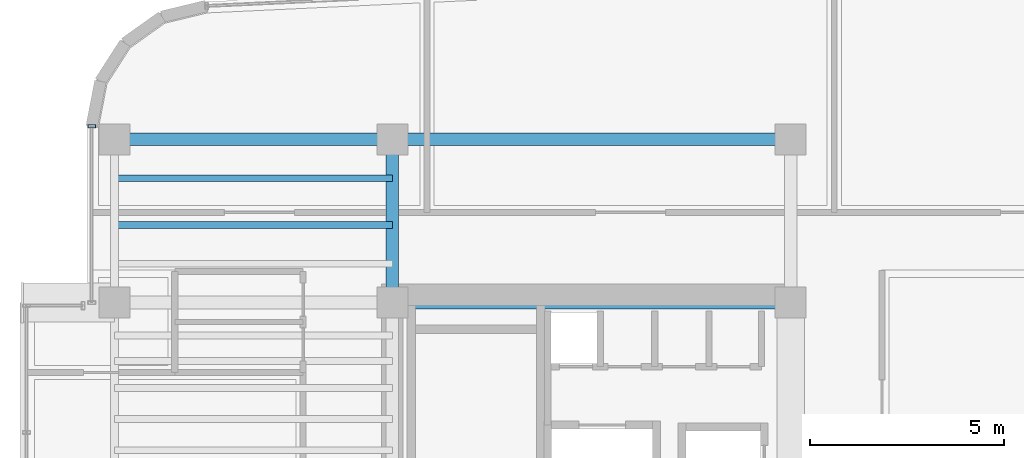
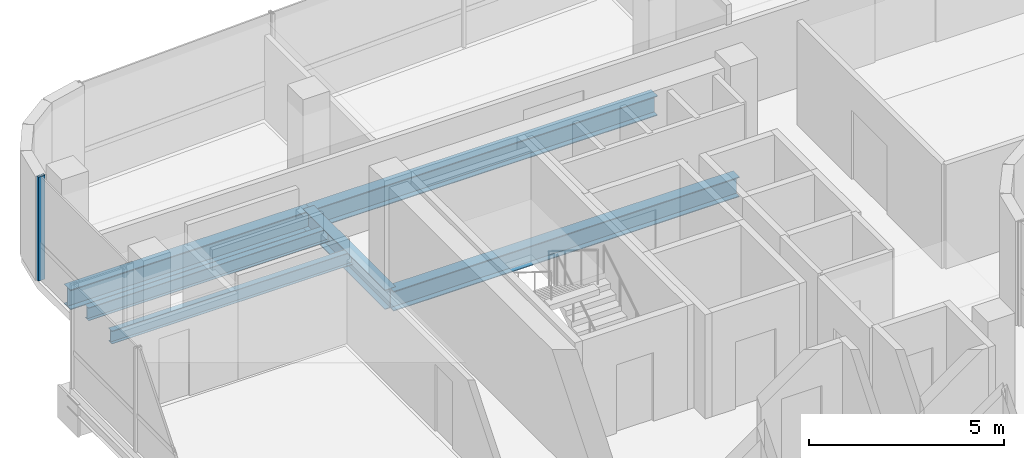
# One storey, part 7 of 18: 6 beams, 1 member, 1 element without a shape of its own.
"""IFC4 building model written with IfcOpenShell, lengths in metres."""

from ifc_helpers import new_model, si_unit, direction, frame, origin, origin_2d, place, context, subcontext, project, spatial, hollow_rectangle, i_section, extrude, source, transform, mapped, material, material_profile, profile_set, type_object, element, aggregate, save


model = new_model("IFC4")

# Units and contexts
model_context = context("Model", 3, precision=1e-05, world=origin(), true_north=direction((0.0, 1.0)))
body_context = subcontext(model_context, "Body", "Model", "MODEL_VIEW")
ifc_project = project(units=[si_unit("LENGTHUNIT", "METRE"), si_unit("AREAUNIT", "SQUARE_METRE"), si_unit("VOLUMEUNIT", "CUBIC_METRE"), si_unit("PLANEANGLEUNIT", "RADIAN"), si_unit("MASSUNIT", "GRAM", prefix="KILO")], contexts=[model_context])

# Site, building, storey
site_placement = place(None, origin())
site = spatial("IfcSite", under=ifc_project, at=site_placement, CompositionType="ELEMENT")
building_placement = place(site_placement, origin())
building = spatial("IfcBuilding", under=site, at=building_placement, Name="Valdorenza Pilgrim Sanctuary Tower", CompositionType="ELEMENT")
storey_placement = place(building_placement, frame((0.0, 0.0, 273.0)))
storey = spatial("IfcBuildingStorey", under=building, at=storey_placement, Name="L71", CompositionType="ELEMENT", Elevation=273.0)

# Beams
ifc_material_1 = material(Name="Steel ASTM A992 Grade 50", Category="steel")
ifc_material_profile_1 = material_profile(ifc_material_1, i_section(OverallWidth=0.323974609375, OverallDepth=0.611083984375, WebThickness=0.0126953125, FlangeThickness=0.01904296875, at=origin_2d()), Name="W24X104")
ifc_profile_set_1 = profile_set([ifc_material_profile_1], Name="Steel ASTM A992 Grade 50")
beam_type_1 = type_object("IfcBeamType", Name="STR-BM-GRD-W24B", PredefinedType="BEAM", material=ifc_profile_set_1)
shared_shape_1 = source(origin(), body_context, "Body", "SweptSolid", [
    extrude(i_section(OverallWidth=0.323974609375, OverallDepth=0.611083984375, WebThickness=0.0126953125, FlangeThickness=0.01904296875, at=origin_2d()), origin(), (0.0, 0.0, 1.0), 4.199951171875),
])
beam_1_placement = place(storey_placement, frame((-22.64990234375, 10.60009765625, -0.54541015625), z_axis=(0.0, 1.0, 0.0), x_axis=(-1.0, 0.0, 0.0)))
element("IfcBeam", 1, at=beam_1_placement, inside=storey, type_object=beam_type_1, Name="L71 Core Tie Girder CA-W-N1N2", PredefinedType="BEAM", context=body_context, shape_type="MappedRepresentation", body=[
    mapped(shared_shape_1, transform((0.0, 0.0, 0.0), x_axis=(1.0, 0.0, 0.0), y_axis=(0.0, 1.0, 0.0), z_axis=(0.0, 0.0, 1.0), scale=1.0)),
])
ifc_material_profile_2 = material_profile(ifc_material_1, i_section(OverallWidth=0.177978515625, OverallDepth=0.406005859375, WebThickness=0.0078125, FlangeThickness=0.0126953125, at=origin_2d()), Name="W16X40")
ifc_profile_set_2 = profile_set([ifc_material_profile_2], Name="Steel ASTM A992 Grade 50")
beam_type_2 = type_object("IfcBeamType", Name="STR-BM-JST-W16", PredefinedType="JOIST", material=ifc_profile_set_2)
shared_shape_2 = source(origin(), body_context, "Body", "SweptSolid", [
    extrude(i_section(OverallWidth=0.177978515625, OverallDepth=0.406005859375, WebThickness=0.0078125, FlangeThickness=0.0126953125, at=origin_2d()), origin(), (0.0, 0.0, 1.0), 7.150146484375),
])
for number, where, z_axis, x_axis, name in (
    (2, (-29.800048828125, 12.60009765625, -0.443115234375), (1.0, 0.0, 0.0), (0.0, 1.0, 0.0), "L71 Composite Floor Joist JST-WA-25"),
    (3, (-29.800048828125, 13.800048828125, -0.443115234375), (1.0, 0.0, 0.0), (0.0, 1.0, 0.0), "L71 Composite Floor Joist JST-WA-26"),
):
    element("IfcBeam", number, at=place(storey_placement, frame(where, z_axis=z_axis, x_axis=x_axis)), inside=storey, type_object=beam_type_2, Name=name, PredefinedType="JOIST", context=body_context, shape_type="MappedRepresentation", body=[
        mapped(shared_shape_2, transform((0.0, 0.0, 0.0), x_axis=(1.0, 0.0, 0.0), y_axis=(0.0, 1.0, 0.0), z_axis=(0.0, 0.0, 1.0), scale=1.0)),
    ])
ifc_material_profile_3 = material_profile(ifc_material_1, i_section(OverallWidth=0.326904296875, OverallDepth=0.6220703125, WebThickness=0.015380859375, FlangeThickness=0.0244140625, at=origin_2d()), Name="W24X131")
ifc_profile_set_3 = profile_set([ifc_material_profile_3], Name="Steel ASTM A992 Grade 50")
beam_type_3 = type_object("IfcBeamType", Name="STR-BM-GRD-W24A", PredefinedType="BEAM", material=ifc_profile_set_3)
shared_shape_3 = source(origin(), body_context, "Body", "SweptSolid", [
    extrude(i_section(OverallWidth=0.326904296875, OverallDepth=0.6220703125, WebThickness=0.015380859375, FlangeThickness=0.0244140625, at=origin_2d()), origin(), (0.0, 0.0, 1.0), 7.150146484375),
])
beam_2_placement = place(storey_placement, frame((-29.800048828125, 14.800048828125, -0.551025390625), z_axis=(1.0, 0.0, 0.0), x_axis=(0.0, 1.0, 0.0)))
element("IfcBeam", 4, at=beam_2_placement, inside=storey, type_object=beam_type_3, Name="L71 Floor Girder WA-XW-N2", PredefinedType="BEAM", context=body_context, shape_type="MappedRepresentation", body=[
    mapped(shared_shape_3, transform((0.0, 0.0, 0.0), x_axis=(1.0, 0.0, 0.0), y_axis=(0.0, 1.0, 0.0), z_axis=(0.0, 0.0, 1.0), scale=1.0)),
])
shared_shape_4 = source(origin(), body_context, "Body", "SweptSolid", [
    extrude(i_section(OverallWidth=0.326904296875, OverallDepth=0.6220703125, WebThickness=0.015380859375, FlangeThickness=0.0244140625, at=origin_2d()), origin(), (0.0, 0.0, 1.0), 10.25),
])
for number, where, z_axis, x_axis, name in (
    (5, (-22.64990234375, 10.60009765625, -0.551025390625), (1.0, 0.0, 0.0), (0.0, 1.0, 0.0), "L71 Floor Girder CA-XC-N1"),
    (6, (-22.64990234375, 14.800048828125, -0.551025390625), (1.0, 0.0, 0.0), (0.0, 1.0, 0.0), "L71 Floor Girder CA-XC-N2"),
):
    element("IfcBeam", number, at=place(storey_placement, frame(where, z_axis=z_axis, x_axis=x_axis)), inside=storey, type_object=beam_type_3, Name=name, PredefinedType="BEAM", context=body_context, shape_type="MappedRepresentation", body=[
        mapped(shared_shape_4, transform((0.0, 0.0, 0.0), x_axis=(1.0, 0.0, 0.0), y_axis=(0.0, 1.0, 0.0), z_axis=(0.0, 0.0, 1.0), scale=1.0)),
    ])

# Curtain wall, member
ifc_material_2 = material(Name="Curtain-wall IGU glazing", Category="glass")
curtain_wall_type = type_object("IfcCurtainWallType", Name="CW-SYS-02", PredefinedType="NOTDEFINED", material=ifc_material_2)
curtain_wall_placement = place(storey_placement, origin())
curtain_wall = element("IfcCurtainWall", 7, at=curtain_wall_placement, inside=storey, type_object=curtain_wall_type, Name="L71 Curtain Wall CW-L71-1-1S2", PredefinedType="NOTDEFINED")
ifc_material_3 = material(Name="Anodised aluminium AW-6060", Category="aluminium")
ifc_material_profile_4 = material_profile(ifc_material_3, hollow_rectangle(XDim=0.0849609375, YDim=0.199951171875, WallThickness=0.0048828125, at=origin_2d()), Name="ALU-M 200x85x5")
ifc_profile_set_4 = profile_set([ifc_material_profile_4], Name="Anodised aluminium AW-6060")
member_type = type_object("IfcMemberType", Name="CW-MUL-02", PredefinedType="MULLION", material=ifc_profile_set_4)
shared_shape_5 = source(origin(), body_context, "Body", "SweptSolid", [
    extrude(hollow_rectangle(XDim=0.0849609375, YDim=0.199951171875, WallThickness=0.0048828125, at=origin_2d()), origin(), (0.0, 0.0, 1.0), 3.260009765625),
])
member_placement = place(storey_placement, frame((-30.389892578125, 15.13671875, 0.0), z_axis=(0.0, 0.0, 1.0), x_axis=(0.0, 1.0, 0.0)))
member = element("IfcMember", 8, at=member_placement, type_object=member_type, Name="CW-L71-1-1S2 Mullion 2", PredefinedType="MULLION", context=body_context, shape_type="MappedRepresentation", body=[
    mapped(shared_shape_5, transform((0.0, 0.0, 0.0), x_axis=(1.0, 0.0, 0.0), y_axis=(0.0, 1.0, 0.0), z_axis=(0.0, 0.0, 1.0), scale=1.0)),
])
aggregate(curtain_wall, [member])

save(model, "model.ifc")
